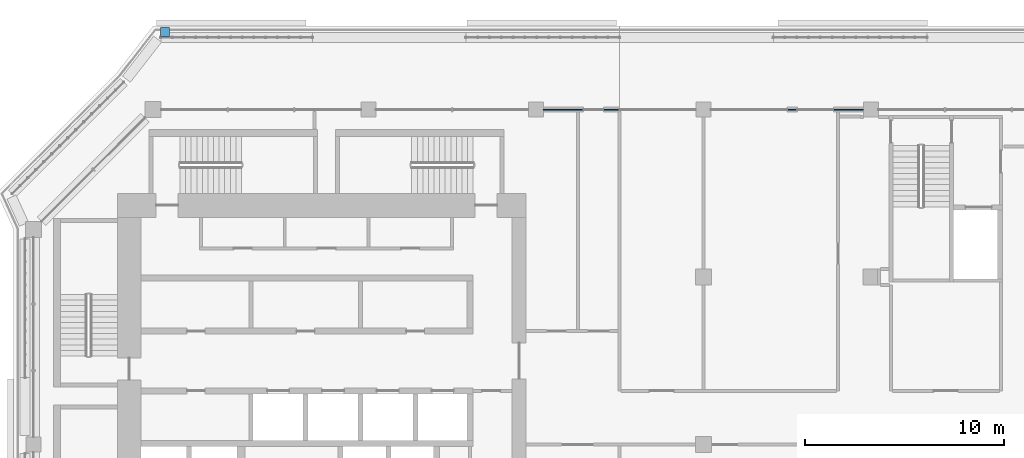
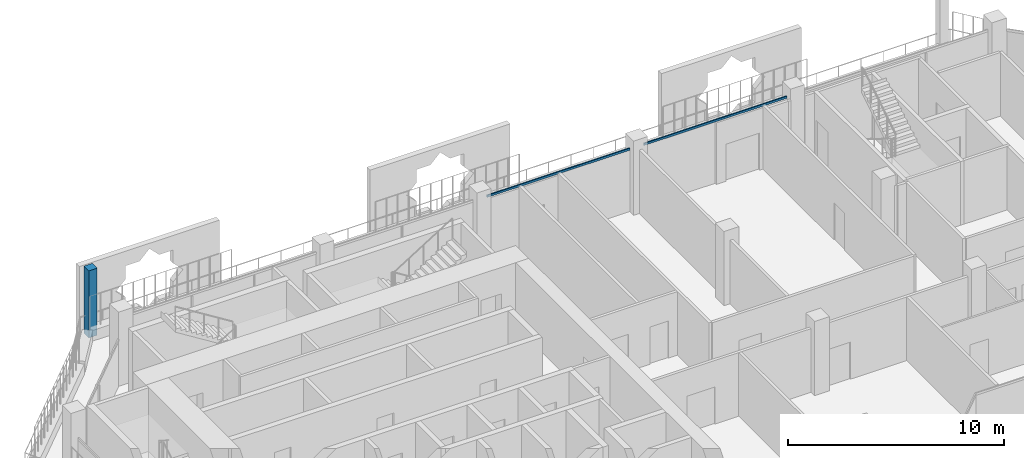
# One storey, part 7 of 22: 3 members, 2 elements without a shape of their own.
"""IFC4 building model written with IfcOpenShell, lengths in metres."""

from ifc_helpers import new_model, si_unit, direction, frame, origin, origin_2d, place, context, subcontext, project, spatial, rectangle, extrude, material, layer, layer_set, material_profile, profile_set, type_object, element, aggregate, save


model = new_model("IFC4")

# Units and contexts
model_context = context("Model", 3, precision=1e-05, world=origin(), true_north=direction((0.0, 1.0)))
body_context = subcontext(model_context, "Body", "Model", "MODEL_VIEW")
ifc_project = project(units=[si_unit("LENGTHUNIT", "METRE"), si_unit("AREAUNIT", "SQUARE_METRE"), si_unit("VOLUMEUNIT", "CUBIC_METRE"), si_unit("PLANEANGLEUNIT", "RADIAN"), si_unit("MASSUNIT", "GRAM", prefix="KILO")], contexts=[model_context])

# Site, building, storey
site_placement = place(None, origin())
site = spatial("IfcSite", under=ifc_project, at=site_placement, CompositionType="ELEMENT")
building_placement = place(site_placement, origin())
building = spatial("IfcBuilding", under=site, at=building_placement, Name="Kawkab Arch Medical Tower", CompositionType="ELEMENT")
storey_placement = place(building_placement, frame((0.0, 0.0, 294.39990234375)))
storey = spatial("IfcBuildingStorey", under=building, at=storey_placement, Name="L68", CompositionType="ELEMENT", Elevation=294.39990234375)

# Curtain wall, members
ifc_material_1 = material(Name="Bronze anodised aluminium curtain wall frame", Category="aluminium")
ifc_layer_1 = layer(ifc_material_1, 0.159912109375)
ifc_layer_set_1 = layer_set([ifc_layer_1], Name="Bronze anodised aluminium curtain wall frame")
curtain_wall_type_1 = type_object("IfcCurtainWallType", Name="CW1 ward curtain wall", PredefinedType="NOTDEFINED", material=ifc_layer_set_1)
placement = place(storey_placement, origin())
curtain_wall_1 = element("IfcCurtainWall", 1, at=placement, inside=storey, type_object=curtain_wall_type_1, Name="CW1 Ward curtain wall R15", PredefinedType="NOTDEFINED")
ifc_material_2 = material(Name="Bronze anodised aluminium curtain wall frame", Category="aluminium")
ifc_material_profile_1 = material_profile(ifc_material_2, rectangle(XDim=0.06005859375, YDim=0.1201171875, at=origin_2d()), Name="AL 60x120")
ifc_profile_set_1 = profile_set([ifc_material_profile_1], Name="Bronze anodised aluminium curtain wall frame")
member_type_1 = type_object("IfcMemberType", Name="CW1 transom 120 x 60", PredefinedType="USERDEFINED", material=ifc_profile_set_1)
member_1_placement = place(storey_placement, frame((41.625, 0.0, 3.5400390625), z_axis=(-1.0, 0.0, 0.0), x_axis=(0.0, -1.0, 0.0)))
member_1 = element("IfcMember", 2, at=member_1_placement, type_object=member_type_1, Name="CW1 transom 2", ObjectType="TRANSOM", PredefinedType="USERDEFINED", context=body_context, shape_type="SweptSolid", body=[
    extrude(rectangle(XDim=0.06005859375, YDim=0.1201171875, at=origin_2d()), origin(), (0.0, 0.0, 1.0), 7.64990234375),
])
member_2_placement = place(storey_placement, frame((33.22509765625, 0.0, 3.5400390625), z_axis=(-1.0, 0.0, 0.0), x_axis=(0.0, -1.0, 0.0)))
member_2 = element("IfcMember", 3, at=member_2_placement, type_object=member_type_1, Name="CW1 transom 3", ObjectType="TRANSOM", PredefinedType="USERDEFINED", context=body_context, shape_type="SweptSolid", body=[
    extrude(rectangle(XDim=0.06005859375, YDim=0.1201171875, at=origin_2d()), origin(), (0.0, 0.0, 1.0), 7.650146484375),
])
aggregate(curtain_wall_1, [member_1, member_2])

# Curtain wall, member
ifc_material_3 = material(Name="Bronze anodised aluminium climber frame, planted", Category="aluminium")
ifc_layer_2 = layer(ifc_material_3, 0.449951171875)
ifc_layer_set_2 = layer_set([ifc_layer_2], Name="Bronze anodised aluminium climber frame, planted")
curtain_wall_type_2 = type_object("IfcCurtainWallType", Name="Planted climber frame", PredefinedType="NOTDEFINED", material=ifc_layer_set_2)
curtain_wall_2 = element("IfcCurtainWall", 4, at=placement, inside=storey, type_object=curtain_wall_type_2, Name="Planted climber frame L68", PredefinedType="NOTDEFINED")
ifc_material_4 = material(Name="Bronze anodised aluminium climber frame, planted", Category="aluminium")
ifc_material_profile_2 = material_profile(ifc_material_4, rectangle(XDim=0.449951171875, YDim=0.449951171875, at=origin_2d()), Name="Post 450x450")
ifc_profile_set_2 = profile_set([ifc_material_profile_2], Name="Bronze anodised aluminium climber frame, planted")
member_type_2 = type_object("IfcMemberType", Name="Planted climber post 450 x 450", PredefinedType="MULLION", material=ifc_profile_set_2)
member_3_placement = place(storey_placement, frame((6.596923828125, 3.89990234375, 0.0), z_axis=(0.0, 0.0, 1.0), x_axis=(1.0, 0.0, 0.0)))
member_3 = element("IfcMember", 5, at=member_3_placement, type_object=member_type_2, Name="Planted climber post L68.LOG-01-01.3", PredefinedType="MULLION", context=body_context, shape_type="SweptSolid", body=[
    extrude(rectangle(XDim=0.449951171875, YDim=0.449951171875, at=origin_2d()), origin(), (0.0, 0.0, 1.0), 3.800048828125),
])
aggregate(curtain_wall_2, [member_3])

save(model, "model.ifc")
